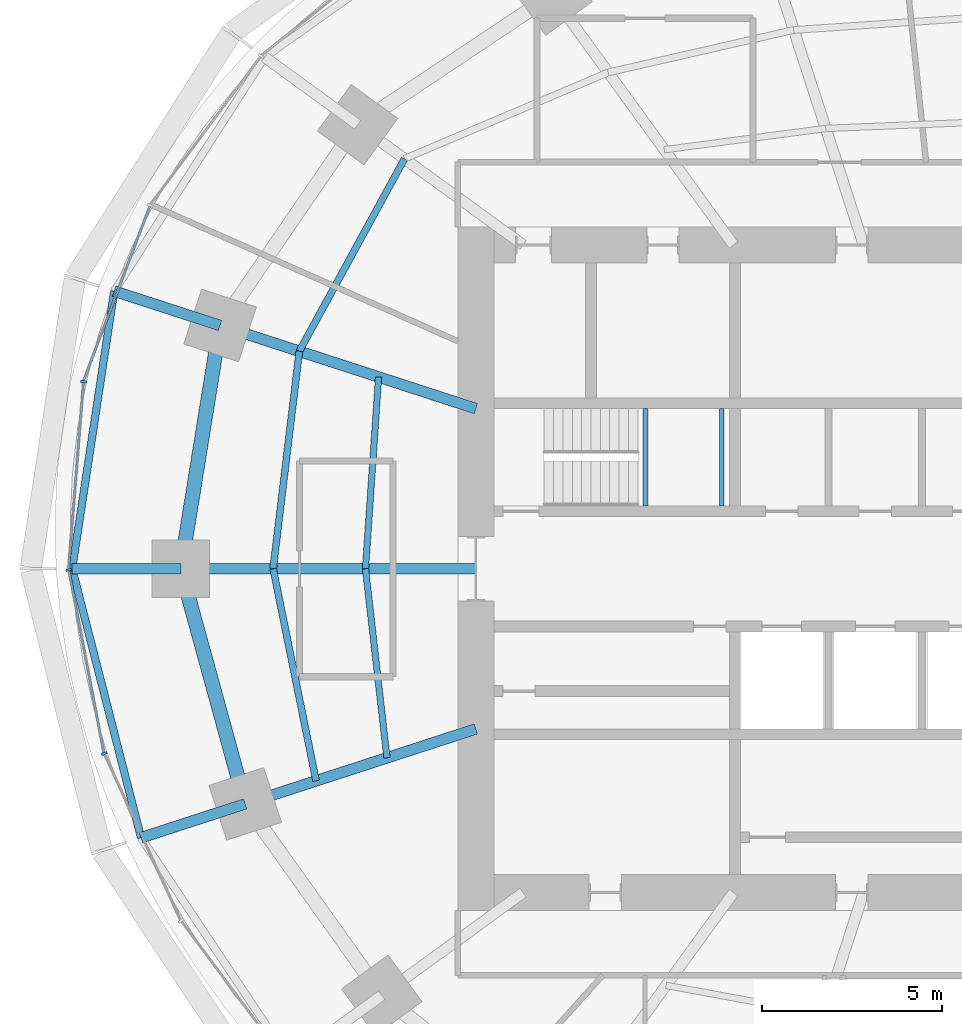
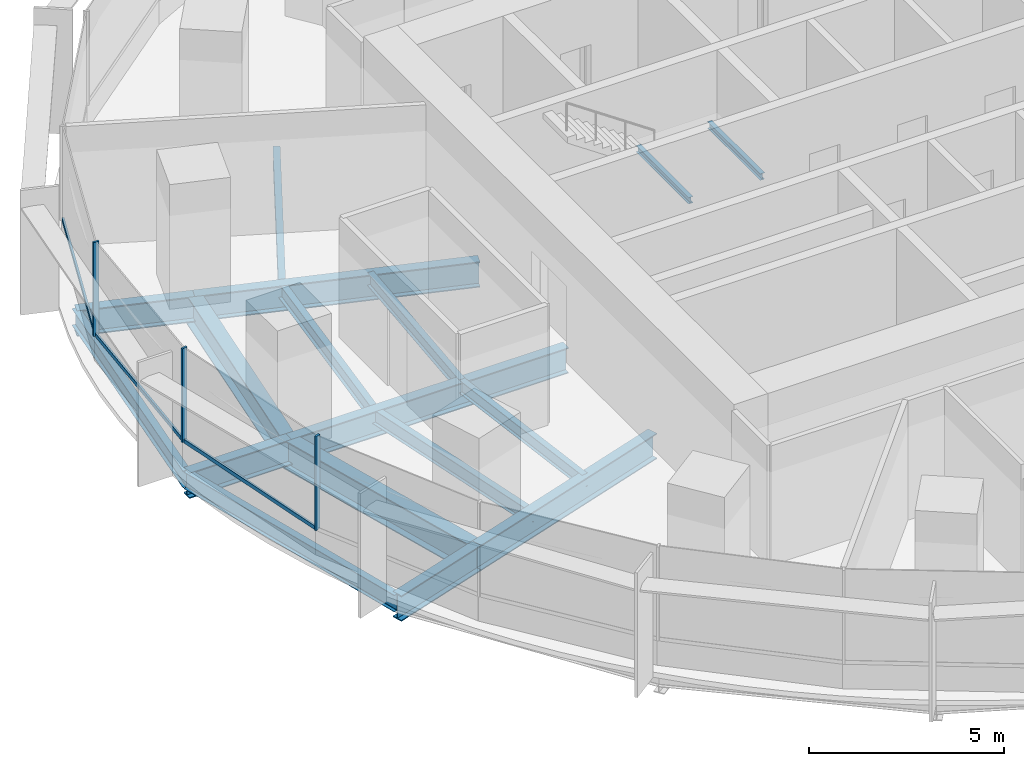
# One storey, part 4 of 14: 17 beams, 6 members, 2 elements without a shape of their own.
"""IFC4 building model written with IfcOpenShell, lengths in metres."""

from ifc_helpers import new_model, si_unit, direction, frame, origin, origin_2d, place, context, subcontext, project, spatial, rectangle, i_section, extrude, material, material_profile, profile_set, type_object, element, aggregate, save


model = new_model("IFC4")

# Units and contexts
model_context = context("Model", 3, precision=1e-05, world=origin(), true_north=direction((0.0, 1.0)))
body_context = subcontext(model_context, "Body", "Model", "MODEL_VIEW")
ifc_project = project(units=[si_unit("LENGTHUNIT", "METRE"), si_unit("AREAUNIT", "SQUARE_METRE"), si_unit("VOLUMEUNIT", "CUBIC_METRE"), si_unit("PLANEANGLEUNIT", "RADIAN"), si_unit("MASSUNIT", "GRAM", prefix="KILO")], contexts=[model_context])

# Site, building, storey
site_placement = place(None, origin())
site = spatial("IfcSite", under=ifc_project, at=site_placement, CompositionType="ELEMENT")
building_placement = place(site_placement, origin())
building = spatial("IfcBuilding", under=site, at=building_placement, Name="Marramba Exchange Tower", CompositionType="ELEMENT")
storey_placement = place(building_placement, frame((0.0, 0.0, 131.39990234375)))
storey = spatial("IfcBuildingStorey", under=building, at=storey_placement, Name="L31", CompositionType="ELEMENT", Elevation=131.39990234375)

# Beams
ifc_material_1 = material(Name="Steel AS/NZS 3679.2 grade 300", Category="steel")
ifc_material_profile_1 = material_profile(ifc_material_1, i_section(OverallWidth=0.300048828125, OverallDepth=0.800048828125, WebThickness=0.013916015625, FlangeThickness=0.031982421875, at=origin_2d()), Name="800WB192")
ifc_profile_set_1 = profile_set([ifc_material_profile_1], Name="Steel AS/NZS 3679.2 grade 300")
beam_type_1 = type_object("IfcBeamType", Name="Cantilever girder 800WB192", PredefinedType="BEAM", material=ifc_profile_set_1)
beam_1_placement = place(storey_placement, frame((-20.808349609375, 6.760986328125, -0.559814453125), z_axis=(-0.95104799017, 0.309043233858, 0.0), x_axis=(-0.309043233858, -0.95104799017, 0.0)))
element("IfcBeam", 1, at=beam_1_placement, inside=storey, type_object=beam_type_1, Name="Cantilever girder L31 TC10", PredefinedType="BEAM", context=body_context, shape_type="SweptSolid", body=[
    extrude(i_section(OverallWidth=0.300048828125, OverallDepth=0.800048828125, WebThickness=0.013916015625, FlangeThickness=0.031982421875, at=origin_2d()), origin(), (0.0, 0.0, 1.0), 3.0927734375),
])
beam_2_placement = place(storey_placement, frame((-21.89990234375, 0.0, -0.559814453125), z_axis=(-1.0, 0.0, 0.0), x_axis=(0.0, -1.0, 0.0)))
element("IfcBeam", 2, at=beam_2_placement, inside=storey, type_object=beam_type_1, Name="Cantilever girder L31 TC11", PredefinedType="BEAM", context=body_context, shape_type="SweptSolid", body=[
    extrude(i_section(OverallWidth=0.300048828125, OverallDepth=0.800048828125, WebThickness=0.013916015625, FlangeThickness=0.031982421875, at=origin_2d()), origin(), (0.0, 0.0, 1.0), 3.01806640625),
])
beam_3_placement = place(storey_placement, frame((-20.109375, -6.533935546875, -0.559814453125), z_axis=(-0.951070617775, -0.308973591113, 0.0), x_axis=(0.308973591113, -0.951070617775, 0.0)))
element("IfcBeam", 3, at=beam_3_placement, inside=storey, type_object=beam_type_1, Name="Cantilever girder L31 TC12", PredefinedType="BEAM", context=body_context, shape_type="SweptSolid", body=[
    extrude(i_section(OverallWidth=0.300048828125, OverallDepth=0.800048828125, WebThickness=0.013916015625, FlangeThickness=0.031982421875, at=origin_2d()), origin(), (0.0, 0.0, 1.0), 3.04296875),
])
ifc_material_2 = material(Name="Steel AS/NZS 3679.1 grade 300", Category="steel")
ifc_material_profile_2 = material_profile(ifc_material_2, i_section(OverallWidth=0.177978515625, OverallDepth=0.406005859375, WebThickness=0.0078125, FlangeThickness=0.0126953125, FilletRadius=0.011474609375, at=origin_2d()), Name="410UB59.7")
ifc_profile_set_2 = profile_set([ifc_material_profile_2], Name="Steel AS/NZS 3679.1 grade 300")
beam_type_2 = type_object("IfcBeamType", Name="Floor joist 410UB59.7", PredefinedType="JOIST", material=ifc_profile_set_2)
beam_4_placement = place(storey_placement, frame((-16.40283203125, 5.32958984375, -0.36279296875), z_axis=(-0.068096259546, -0.99767875563, 0.0), x_axis=(0.99767875563, -0.068096259546, 0.0)))
element("IfcBeam", 4, at=beam_4_placement, inside=storey, type_object=beam_type_2, Name="Joist L31 bay 10 row 1", PredefinedType="JOIST", context=body_context, shape_type="SweptSolid", body=[
    extrude(i_section(OverallWidth=0.177978515625, OverallDepth=0.406005859375, WebThickness=0.0078125, FlangeThickness=0.0126953125, FilletRadius=0.011474609375, at=origin_2d()), origin(), (0.0, 0.0, 1.0), 5.342041015625),
])
beam_5_placement = place(storey_placement, frame((-16.7666015625, 0.0, -0.36279296875), z_axis=(0.112888968594, -0.993607609054, 0.0), x_axis=(0.993607609054, 0.112888968594, 0.0)))
element("IfcBeam", 5, at=beam_5_placement, inside=storey, type_object=beam_type_2, Name="Joist L31 bay 11 row 1", PredefinedType="JOIST", context=body_context, shape_type="SweptSolid", body=[
    extrude(i_section(OverallWidth=0.177978515625, OverallDepth=0.406005859375, WebThickness=0.0078125, FlangeThickness=0.0126953125, FilletRadius=0.011474609375, at=origin_2d()), origin(), (0.0, 0.0, 1.0), 5.28759765625),
])
ifc_material_profile_3 = material_profile(ifc_material_2, i_section(OverallWidth=0.18994140625, OverallDepth=0.4541015625, WebThickness=0.008544921875, FlangeThickness=0.0126953125, FilletRadius=0.011474609375, at=origin_2d()), Name="460UB67.1")
ifc_profile_set_3 = profile_set([ifc_material_profile_3], Name="Steel AS/NZS 3679.1 grade 300")
beam_type_3 = type_object("IfcBeamType", Name="Floor joist 460UB67.1", PredefinedType="JOIST", material=ifc_profile_set_3)
beam_6_placement = place(storey_placement, frame((-15.682373046875, 11.393798828125, -0.386962890625), z_axis=(-0.479584443791, -0.877495732909, 0.0), x_axis=(0.877495732909, -0.479584443791, 0.0)))
element("IfcBeam", 6, at=beam_6_placement, inside=storey, type_object=beam_type_3, Name="Joist L31 bay 09 row 2", PredefinedType="JOIST", context=body_context, shape_type="SweptSolid", body=[
    extrude(i_section(OverallWidth=0.18994140625, OverallDepth=0.4541015625, WebThickness=0.008544921875, FlangeThickness=0.0126953125, FilletRadius=0.011474609375, at=origin_2d()), origin(), (0.0, 0.0, 1.0), 6.094970703125),
])
beam_7_placement = place(storey_placement, frame((-18.60546875, 6.04541015625, -0.386962890625), z_axis=(-0.119523078538, -0.992831422597, 0.0), x_axis=(0.992831422597, -0.119523078538, 0.0)))
element("IfcBeam", 7, at=beam_7_placement, inside=storey, type_object=beam_type_3, Name="Joist L31 bay 10 row 2", PredefinedType="JOIST", context=body_context, shape_type="SweptSolid", body=[
    extrude(i_section(OverallWidth=0.18994140625, OverallDepth=0.4541015625, WebThickness=0.008544921875, FlangeThickness=0.0126953125, FilletRadius=0.011474609375, at=origin_2d()), origin(), (0.0, 0.0, 1.0), 6.089111328125),
])
beam_8_placement = place(storey_placement, frame((-19.333251953125, 0.0, -0.386962890625), z_axis=(0.198489047047, -0.980103105904, 0.0), x_axis=(0.980103105904, 0.198489047047, 0.0)))
element("IfcBeam", 8, at=beam_8_placement, inside=storey, type_object=beam_type_3, Name="Joist L31 bay 11 row 2", PredefinedType="JOIST", context=body_context, shape_type="SweptSolid", body=[
    extrude(i_section(OverallWidth=0.18994140625, OverallDepth=0.4541015625, WebThickness=0.008544921875, FlangeThickness=0.0126953125, FilletRadius=0.011474609375, at=origin_2d()), origin(), (0.0, 0.0, 1.0), 6.013427734375),
])

# Curtain wall, member
ifc_material_3 = material(Name="Aluminium framing, bronze anodised", Category="aluminium")
curtain_wall_type = type_object("IfcCurtainWallType", Name="Office ribbon curtain wall", PredefinedType="USERDEFINED", material=ifc_material_3)
curtain_wall_1_placement = place(storey_placement, origin())
curtain_wall_1 = element("IfcCurtainWall", 9, at=curtain_wall_1_placement, inside=storey, type_object=curtain_wall_type, Name="Curtain wall CW4 L31 F11-F15", ObjectType="RIBBON CURTAIN WALL", PredefinedType="USERDEFINED")
ifc_material_4 = material(Name="Aluminium mullion, bronze anodised", Category="aluminium")
ifc_material_profile_4 = material_profile(ifc_material_4, rectangle(XDim=0.159912109375, YDim=0.06005859375, at=origin_2d()), Name="CW4 mullion 60x160")
ifc_profile_set_4 = profile_set([ifc_material_profile_4], Name="Aluminium mullion, bronze anodised")
member_type_1 = type_object("IfcMemberType", Name="Office ribbon curtain wall mullion", PredefinedType="MULLION", material=ifc_profile_set_4)
member_1_placement = place(storey_placement, frame((-24.603515625, 5.19921875, 0.800048828125), z_axis=(0.0, 0.0, 1.0), x_axis=(0.996838079455, -0.079459696383, 0.0)))
member_1 = element("IfcMember", 10, at=member_1_placement, type_object=member_type_1, Name="CW4 mullion 1", PredefinedType="MULLION", context=body_context, shape_type="SweptSolid", body=[
    extrude(rectangle(XDim=0.159912109375, YDim=0.06005859375, at=origin_2d()), origin(), (0.0, 0.0, 1.0), 2.93994140625),
])

# Curtain wall, members
curtain_wall_2_placement = place(storey_placement, origin())
curtain_wall_2 = element("IfcCurtainWall", 11, at=curtain_wall_2_placement, inside=storey, type_object=curtain_wall_type, Name="Curtain wall CW4 L31 F16-F20", ObjectType="RIBBON CURTAIN WALL", PredefinedType="USERDEFINED")
member_2_placement = place(storey_placement, frame((-25.012451171875, -0.029541015625, 0.800048828125), z_axis=(0.0, 0.0, 1.0), x_axis=(0.982125509078, 0.18822721487, 0.0)))
member_2 = element("IfcMember", 12, at=member_2_placement, type_object=member_type_1, Name="CW4 mullion 1", PredefinedType="MULLION", context=body_context, shape_type="SweptSolid", body=[
    extrude(rectangle(XDim=0.159912109375, YDim=0.06005859375, at=origin_2d()), origin(), (0.0, 0.0, 1.0), 2.93994140625),
])
member_3_placement = place(storey_placement, frame((-24.026123046875, -5.136962890625, 0.800048828125), z_axis=(0.0, 0.0, 1.0), x_axis=(0.909026713177, 0.416737848929, 0.0)))
member_3 = element("IfcMember", 13, at=member_3_placement, type_object=member_type_1, Name="CW4 mullion 1", PredefinedType="MULLION", context=body_context, shape_type="SweptSolid", body=[
    extrude(rectangle(XDim=0.159912109375, YDim=0.06005859375, at=origin_2d()), origin(), (0.0, 0.0, 1.0), 2.93994140625),
])

# Member
ifc_material_5 = material(Name="Aluminium transom, bronze anodised", Category="aluminium")
ifc_material_profile_5 = material_profile(ifc_material_5, rectangle(XDim=0.06005859375, YDim=0.1201171875, at=origin_2d()), Name="CW4 transom 60x120")
ifc_profile_set_5 = profile_set([ifc_material_profile_5], Name="Aluminium transom, bronze anodised")
member_type_2 = type_object("IfcMemberType", Name="Office ribbon curtain wall transom", PredefinedType="USERDEFINED", material=ifc_profile_set_5)
member_4_placement = place(storey_placement, frame((-22.763916015625, 10.069580078125, 0.830078125), z_axis=(-0.354851822252, -0.934922555212, 0.0), x_axis=(0.934922555212, -0.354851822252, 0.0)))
member_4 = element("IfcMember", 14, at=member_4_placement, type_object=member_type_2, Name="CW4 sill transom", ObjectType="TRANSOM", PredefinedType="USERDEFINED", context=body_context, shape_type="SweptSolid", body=[
    extrude(rectangle(XDim=0.06005859375, YDim=0.1201171875, at=origin_2d()), origin(), (0.0, 0.0, 1.0), 5.17724609375),
])

member_5_placement = place(storey_placement, frame((-24.60595703125, 5.16943359375, 0.830078125), z_axis=(-0.07946828762, -0.996837394595, 0.0), x_axis=(0.996837394595, -0.07946828762, 0.0)))
member_5 = element("IfcMember", 15, at=member_5_placement, type_object=member_type_2, Name="CW4 sill transom", ObjectType="TRANSOM", PredefinedType="USERDEFINED", context=body_context, shape_type="SweptSolid", body=[
    extrude(rectangle(XDim=0.06005859375, YDim=0.1201171875, at=origin_2d()), origin(), (0.0, 0.0, 1.0), 5.185791015625),
])

aggregate(curtain_wall_1, [member_4, member_1, member_5])

member_6_placement = place(storey_placement, frame((-25.006591796875, -0.058837890625, 0.830078125), z_axis=(0.188185293992, -0.982133542409, 0.0), x_axis=(0.982133542409, 0.188185293992, 0.0)))
member_6 = element("IfcMember", 16, at=member_6_placement, type_object=member_type_2, Name="CW4 sill transom", ObjectType="TRANSOM", PredefinedType="USERDEFINED", context=body_context, shape_type="SweptSolid", body=[
    extrude(rectangle(XDim=0.06005859375, YDim=0.1201171875, at=origin_2d()), origin(), (0.0, 0.0, 1.0), 5.142578125),
])

aggregate(curtain_wall_2, [member_2, member_6, member_3])

# Beams
ifc_material_profile_6 = material_profile(ifc_material_1, i_section(OverallWidth=0.300048828125, OverallDepth=0.800048828125, WebThickness=0.013916015625, FlangeThickness=0.031982421875, at=origin_2d()), Name="800WB192")
ifc_profile_set_6 = profile_set([ifc_material_profile_6], Name="Steel AS/NZS 3679.2 grade 300")
beam_type_4 = type_object("IfcBeamType", Name="Radial girder 800WB192", PredefinedType="BEAM", material=ifc_profile_set_6)
beam_9_placement = place(storey_placement, frame((-13.699951171875, 4.451416015625, -0.559814453125), z_axis=(-0.951059990189, 0.309006302624, 0.0), x_axis=(-0.309006302624, -0.951059990189, 0.0)))
element("IfcBeam", 17, at=beam_9_placement, inside=storey, type_object=beam_type_4, Name="Radial girder L31 TC10", PredefinedType="BEAM", context=body_context, shape_type="SweptSolid", body=[
    extrude(i_section(OverallWidth=0.300048828125, OverallDepth=0.800048828125, WebThickness=0.013916015625, FlangeThickness=0.031982421875, at=origin_2d()), origin(), (0.0, 0.0, 1.0), 7.47412109375),
])
beam_10_placement = place(storey_placement, frame((-13.699951171875, 0.0, -0.559814453125), z_axis=(-1.0, 0.0, 0.0), x_axis=(0.0, -1.0, 0.0)))
element("IfcBeam", 18, at=beam_10_placement, inside=storey, type_object=beam_type_4, Name="Radial girder L31 TC11", PredefinedType="BEAM", context=body_context, shape_type="SweptSolid", body=[
    extrude(i_section(OverallWidth=0.300048828125, OverallDepth=0.800048828125, WebThickness=0.013916015625, FlangeThickness=0.031982421875, at=origin_2d()), origin(), (0.0, 0.0, 1.0), 8.199951171875),
])
beam_11_placement = place(storey_placement, frame((-13.699951171875, -4.451416015625, -0.559814453125), z_axis=(-0.951057759669, -0.309013167637, 0.0), x_axis=(0.309013167637, -0.951057759669, 0.0)))
element("IfcBeam", 19, at=beam_11_placement, inside=storey, type_object=beam_type_4, Name="Radial girder L31 TC12", PredefinedType="BEAM", context=body_context, shape_type="SweptSolid", body=[
    extrude(i_section(OverallWidth=0.300048828125, OverallDepth=0.800048828125, WebThickness=0.013916015625, FlangeThickness=0.031982421875, at=origin_2d()), origin(), (0.0, 0.0, 1.0), 6.7392578125),
])
ifc_material_profile_7 = material_profile(ifc_material_1, i_section(OverallWidth=0.39990234375, OverallDepth=0.89990234375, WebThickness=0.01611328125, FlangeThickness=0.031982421875, at=origin_2d()), Name="900WB282")
ifc_profile_set_7 = profile_set([ifc_material_profile_7], Name="Steel AS/NZS 3679.2 grade 300")
beam_type_5 = type_object("IfcBeamType", Name="Ring beam 900WB282", PredefinedType="SPANDREL", material=ifc_profile_set_7)
beam_12_placement = place(storey_placement, frame((-20.808349609375, 6.760986328125, -0.60986328125), z_axis=(-0.159384865399, -0.987216523708, 0.0), x_axis=(0.987216523708, -0.159384865399, 0.0)))
element("IfcBeam", 20, at=beam_12_placement, inside=storey, type_object=beam_type_5, Name="Ring beam L31 TC10-TC11", PredefinedType="SPANDREL", context=body_context, shape_type="SweptSolid", body=[
    extrude(i_section(OverallWidth=0.39990234375, OverallDepth=0.89990234375, WebThickness=0.01611328125, FlangeThickness=0.031982421875, at=origin_2d()), origin(), (0.0, 0.0, 1.0), 6.8486328125),
])
beam_13_placement = place(storey_placement, frame((-21.89990234375, 0.0, -0.60986328125), z_axis=(0.264291166956, -0.964442937176, 0.0), x_axis=(0.964442937176, 0.264291166956, 0.0)))
element("IfcBeam", 21, at=beam_13_placement, inside=storey, type_object=beam_type_5, Name="Ring beam L31 TC11-TC12", PredefinedType="SPANDREL", context=body_context, shape_type="SweptSolid", body=[
    extrude(i_section(OverallWidth=0.39990234375, OverallDepth=0.89990234375, WebThickness=0.01611328125, FlangeThickness=0.031982421875, at=origin_2d()), origin(), (0.0, 0.0, 1.0), 6.77490234375),
])
ifc_material_profile_8 = material_profile(ifc_material_2, i_section(OverallWidth=0.208984375, OverallDepth=0.528076171875, WebThickness=0.009521484375, FlangeThickness=0.01318359375, FilletRadius=0.013916015625, at=origin_2d()), Name="530UB82.0")
ifc_profile_set_8 = profile_set([ifc_material_profile_8], Name="Steel AS/NZS 3679.1 grade 300")
beam_type_6 = type_object("IfcBeamType", Name="Slab edge beam 530UB82.0", PredefinedType="SPANDREL", material=ifc_profile_set_8)
beam_14_placement = place(storey_placement, frame((-23.749755859375, 7.716796875, -0.423828125), z_axis=(-0.149680281727, -0.988734450326, 0.0), x_axis=(0.988734450326, -0.149680281727, 0.0)))
element("IfcBeam", 22, at=beam_14_placement, inside=storey, type_object=beam_type_6, Name="Slab edge beam L31 TC10-TC11", PredefinedType="SPANDREL", context=body_context, shape_type="SweptSolid", body=[
    extrude(i_section(OverallWidth=0.208984375, OverallDepth=0.528076171875, WebThickness=0.009521484375, FlangeThickness=0.01318359375, FilletRadius=0.013916015625, at=origin_2d()), origin(), (0.0, 0.0, 1.0), 7.8046875),
])
beam_15_placement = place(storey_placement, frame((-24.91796875, 0.0, -0.423828125), z_axis=(0.248145427917, -0.968722791413, 0.0), x_axis=(0.968722791413, 0.248145427917, 0.0)))
element("IfcBeam", 23, at=beam_15_placement, inside=storey, type_object=beam_type_6, Name="Slab edge beam L31 TC11-TC12", PredefinedType="SPANDREL", context=body_context, shape_type="SweptSolid", body=[
    extrude(i_section(OverallWidth=0.208984375, OverallDepth=0.528076171875, WebThickness=0.009521484375, FlangeThickness=0.01318359375, FilletRadius=0.013916015625, at=origin_2d()), origin(), (0.0, 0.0, 1.0), 7.71533203125),
])
ifc_material_profile_9 = material_profile(ifc_material_2, i_section(OverallWidth=0.133056640625, OverallDepth=0.202880859375, WebThickness=0.005859375, FlangeThickness=0.0078125, FilletRadius=0.0087890625, at=origin_2d()), Name="200UB25.4")
ifc_profile_set_9 = profile_set([ifc_material_profile_9], Name="Steel AS/NZS 3679.1 grade 300")
beam_type_7 = type_object("IfcBeamType", Name="Stair landing beam 200UB25.4", PredefinedType="BEAM", material=ifc_profile_set_9)
for number, where, z_axis, x_axis, name in (
    (24, (-8.9833984375, 1.75, 1.648681640625), (0.0, 1.0, 0.0), (-1.0, 0.0, 0.0), "Stair landing beam SLB1 ST1 L31 1"),
    (25, (-6.866455078125, 1.75, 1.648681640625), (0.0, 1.0, 0.0), (-1.0, 0.0, 0.0), "Stair landing beam SLB1 ST1 L31 2"),
):
    element("IfcBeam", number, at=place(storey_placement, frame(where, z_axis=z_axis, x_axis=x_axis)), inside=storey, type_object=beam_type_7, Name=name, PredefinedType="BEAM", context=body_context, shape_type="SweptSolid", body=[
        extrude(i_section(OverallWidth=0.133056640625, OverallDepth=0.202880859375, WebThickness=0.005859375, FlangeThickness=0.0078125, FilletRadius=0.0087890625, at=origin_2d()), origin(), (0.0, 0.0, 1.0), 2.699951171875),
    ])

save(model, "model.ifc")
